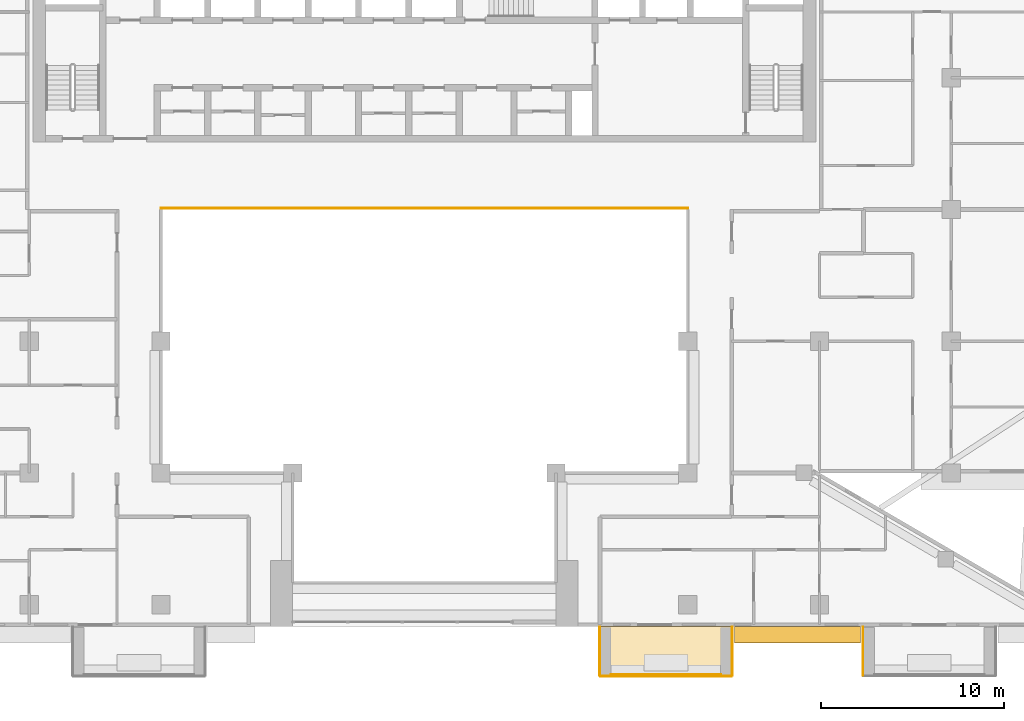
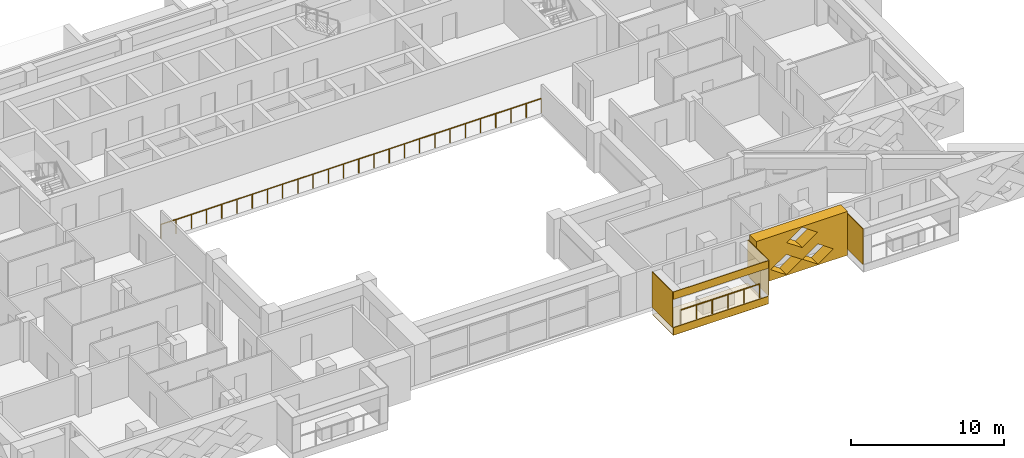
# One storey, part 16 of 20: 7 coverings, 2 railings.
"""IFC4 building model written with IfcOpenShell, lengths in metres."""

from ifc_helpers import new_model, si_unit, direction, frame, origin, origin_2d, place, context, subcontext, project, spatial, polyline, circle, outline, extrude, material, layer, layer_set, type_object, element, save


model = new_model("IFC4")

# Units and contexts
model_context = context("Model", 3, precision=1e-05, world=origin(), true_north=direction((0.0, 1.0)))
body_context = subcontext(model_context, "Body", "Model", "MODEL_VIEW")
ifc_project = project(units=[si_unit("LENGTHUNIT", "METRE"), si_unit("AREAUNIT", "SQUARE_METRE"), si_unit("VOLUMEUNIT", "CUBIC_METRE"), si_unit("PLANEANGLEUNIT", "RADIAN"), si_unit("MASSUNIT", "GRAM", prefix="KILO")], contexts=[model_context])

# Site, building, storey
site_placement = place(None, origin())
site = spatial("IfcSite", under=ifc_project, at=site_placement, CompositionType="ELEMENT")
building_placement = place(site_placement, origin())
building = spatial("IfcBuilding", under=site, at=building_placement, Name="Saffron Iwan Residences", CompositionType="ELEMENT")
storey_placement = place(building_placement, frame((0.0, 0.0, 153.5)))
storey = spatial("IfcBuildingStorey", under=building, at=storey_placement, Name="L40", CompositionType="ELEMENT", Elevation=153.5)

# Railings
ifc_material_1 = material(Name="Stainless steel 316", Category="steel")
railing_type_1 = type_object("IfcRailingType", Name="Atrium guard 1150", PredefinedType="GUARDRAIL", material=ifc_material_1)
railing_1_placement = place(storey_placement, frame((36.0, 62.47509765625, 0.0)))
element("IfcRailing", 1, at=railing_1_placement, inside=storey, type_object=railing_type_1, Name="Atrium guard L40", PredefinedType="GUARDRAIL", context=body_context, shape_type="SweptSolid", body=[
    extrude(circle(Radius=0.02392578125, at=origin_2d()), frame((0.0, 0.0, 1.1259765625), z_axis=(1.0, 0.0, 0.0), x_axis=(0.0, 1.0, 0.0)), (0.0, 0.0, 1.0), 28.800048828125),
    extrude(circle(Radius=0.02099609375, at=origin_2d()), origin(), (0.0, 0.0, 1.0), 1.101806640625),
    extrude(circle(Radius=0.02099609375, at=origin_2d()), frame((1.152099609375, 0.0, 0.0)), (0.0, 0.0, 1.0), 1.101806640625),
    extrude(circle(Radius=0.02099609375, at=origin_2d()), frame((2.303955078125, 0.0, 0.0)), (0.0, 0.0, 1.0), 1.101806640625),
    extrude(circle(Radius=0.02099609375, at=origin_2d()), frame((3.4560546875, 0.0, 0.0)), (0.0, 0.0, 1.0), 1.101806640625),
    extrude(circle(Radius=0.02099609375, at=origin_2d()), frame((4.60791015625, 0.0, 0.0)), (0.0, 0.0, 1.0), 1.101806640625),
    extrude(circle(Radius=0.02099609375, at=origin_2d()), frame((5.760009765625, 0.0, 0.0)), (0.0, 0.0, 1.0), 1.101806640625),
    extrude(circle(Radius=0.02099609375, at=origin_2d()), frame((6.912109375, 0.0, 0.0)), (0.0, 0.0, 1.0), 1.101806640625),
    extrude(circle(Radius=0.02099609375, at=origin_2d()), frame((8.06396484375, 0.0, 0.0)), (0.0, 0.0, 1.0), 1.101806640625),
    extrude(circle(Radius=0.02099609375, at=origin_2d()), frame((9.216064453125, 0.0, 0.0)), (0.0, 0.0, 1.0), 1.101806640625),
    extrude(circle(Radius=0.02099609375, at=origin_2d()), frame((10.367919921875, 0.0, 0.0)), (0.0, 0.0, 1.0), 1.101806640625),
    extrude(circle(Radius=0.02099609375, at=origin_2d()), frame((11.52001953125, 0.0, 0.0)), (0.0, 0.0, 1.0), 1.101806640625),
    extrude(circle(Radius=0.02099609375, at=origin_2d()), frame((12.672119140625, 0.0, 0.0)), (0.0, 0.0, 1.0), 1.101806640625),
    extrude(circle(Radius=0.02099609375, at=origin_2d()), frame((13.823974609375, 0.0, 0.0)), (0.0, 0.0, 1.0), 1.101806640625),
    extrude(circle(Radius=0.02099609375, at=origin_2d()), frame((14.97607421875, 0.0, 0.0)), (0.0, 0.0, 1.0), 1.101806640625),
    extrude(circle(Radius=0.02099609375, at=origin_2d()), frame((16.1279296875, 0.0, 0.0)), (0.0, 0.0, 1.0), 1.101806640625),
    extrude(circle(Radius=0.02099609375, at=origin_2d()), frame((17.280029296875, 0.0, 0.0)), (0.0, 0.0, 1.0), 1.101806640625),
    extrude(circle(Radius=0.02099609375, at=origin_2d()), frame((18.43212890625, 0.0, 0.0)), (0.0, 0.0, 1.0), 1.101806640625),
    extrude(circle(Radius=0.02099609375, at=origin_2d()), frame((19.583984375, 0.0, 0.0)), (0.0, 0.0, 1.0), 1.101806640625),
    extrude(circle(Radius=0.02099609375, at=origin_2d()), frame((20.736083984375, 0.0, 0.0)), (0.0, 0.0, 1.0), 1.101806640625),
    extrude(circle(Radius=0.02099609375, at=origin_2d()), frame((21.887939453125, 0.0, 0.0)), (0.0, 0.0, 1.0), 1.101806640625),
    extrude(circle(Radius=0.02099609375, at=origin_2d()), frame((23.0400390625, 0.0, 0.0)), (0.0, 0.0, 1.0), 1.101806640625),
    extrude(circle(Radius=0.02099609375, at=origin_2d()), frame((24.192138671875, 0.0, 0.0)), (0.0, 0.0, 1.0), 1.101806640625),
    extrude(circle(Radius=0.02099609375, at=origin_2d()), frame((25.343994140625, 0.0, 0.0)), (0.0, 0.0, 1.0), 1.101806640625),
    extrude(circle(Radius=0.02099609375, at=origin_2d()), frame((26.49609375, 0.0, 0.0)), (0.0, 0.0, 1.0), 1.101806640625),
    extrude(circle(Radius=0.02099609375, at=origin_2d()), frame((27.64794921875, 0.0, 0.0)), (0.0, 0.0, 1.0), 1.101806640625),
    extrude(circle(Radius=0.02099609375, at=origin_2d()), frame((28.800048828125, 0.0, 0.0)), (0.0, 0.0, 1.0), 1.101806640625),
])
railing_type_2 = type_object("IfcRailingType", Name="BALCONY GUARD 1150", PredefinedType="GUARDRAIL", material=ifc_material_1)
railing_2_placement = place(storey_placement, frame((60.60009765625, 36.97509765625, 0.0)))
element("IfcRailing", 2, at=railing_2_placement, inside=storey, type_object=railing_type_2, Name="Balcony guard L40 11-1", PredefinedType="GUARDRAIL", context=body_context, shape_type="SweptSolid", body=[
    extrude(circle(Radius=0.02392578125, at=origin_2d()), frame((0.0, 0.0, 1.1259765625), z_axis=(1.0, 0.0, 0.0), x_axis=(0.0, 1.0, 0.0)), (0.0, 0.0, 1.0), 6.0),
    extrude(circle(Radius=0.02099609375, at=origin_2d()), origin(), (0.0, 0.0, 1.0), 1.101806640625),
    extrude(circle(Radius=0.02099609375, at=origin_2d()), frame((1.199951171875, 0.0, 0.0)), (0.0, 0.0, 1.0), 1.101806640625),
    extrude(circle(Radius=0.02099609375, at=origin_2d()), frame((2.39990234375, 0.0, 0.0)), (0.0, 0.0, 1.0), 1.101806640625),
    extrude(circle(Radius=0.02099609375, at=origin_2d()), frame((3.60009765625, 0.0, 0.0)), (0.0, 0.0, 1.0), 1.101806640625),
    extrude(circle(Radius=0.02099609375, at=origin_2d()), frame((4.800048828125, 0.0, 0.0)), (0.0, 0.0, 1.0), 1.101806640625),
    extrude(circle(Radius=0.02099609375, at=origin_2d()), frame((6.0, 0.0, 0.0)), (0.0, 0.0, 1.0), 1.101806640625),
])

# Coverings
ifc_material_2 = material(Name="Precast concrete C40/50 white painted", Category="concrete")
ifc_layer = layer(ifc_material_2, 0.050048828125)
ifc_layer_set = layer_set([ifc_layer], Name="Precast concrete C40/50 white painted")
covering_type_1 = type_object("IfcCoveringType", Name="FRAME SKIN PRECAST WHITE 50", PredefinedType="CLADDING", material=ifc_layer_set)
for number, where, name in (
    (3, (0.0, 0.0, -0.60009765625), "Frame skin slab edge L40 11-1"),
    (4, (0.0, 0.0, 2.25), "Frame skin fascia L40 11-1"),
):
    element("IfcCovering", number, at=place(storey_placement, frame(where)), inside=storey, type_object=covering_type_1, Name=name, PredefinedType="CLADDING", context=body_context, shape_type="SweptSolid", body=[
        extrude(outline(polyline([(60.0, 36.85009765625), (67.199951171875, 36.85009765625), (67.199951171875, 36.89990234375), (60.0, 36.89990234375), (60.0, 36.85009765625)])), origin(), (0.0, 0.0, 1.0), 0.60009765625),
    ])
covering_1_placement = place(storey_placement, frame((0.0, 0.0, -0.64990234375)))
element("IfcCovering", 5, at=covering_1_placement, inside=storey, type_object=covering_type_1, Name="Frame skin soffit L40 11-1", PredefinedType="CLADDING", context=body_context, shape_type="SweptSolid", body=[
    extrude(outline(polyline([(60.0, 36.89990234375), (67.199951171875, 36.89990234375), (67.199951171875, 39.60009765625), (60.0, 39.60009765625), (60.0, 36.89990234375)])), origin(), (0.0, 0.0, 1.0), 0.0498046875),
])
covering_2_placement = place(storey_placement, origin())
element("IfcCovering", 6, at=covering_2_placement, inside=storey, type_object=covering_type_1, Name="Frame skin fin L40 11-1a", PredefinedType="CLADDING", context=body_context, shape_type="SweptSolid", body=[
    extrude(outline(polyline([(59.949951171875, 36.89990234375), (60.0, 36.89990234375), (60.0, 39.60009765625), (59.949951171875, 39.60009765625), (59.949951171875, 36.89990234375)])), origin(), (0.0, 0.0, 1.0), 2.85009765625),
])
covering_3_placement = place(storey_placement, origin())
element("IfcCovering", 7, at=covering_3_placement, inside=storey, type_object=covering_type_1, Name="Frame skin fin L40 11-1b", PredefinedType="CLADDING", context=body_context, shape_type="SweptSolid", body=[
    extrude(outline(polyline([(67.199951171875, 36.89990234375), (67.25, 36.89990234375), (67.25, 39.60009765625), (67.199951171875, 39.60009765625), (67.199951171875, 36.89990234375)])), origin(), (0.0, 0.0, 1.0), 2.85009765625),
])
covering_4_placement = place(storey_placement, origin())
element("IfcCovering", 8, at=covering_4_placement, inside=storey, type_object=covering_type_1, Name="Frame skin fin L40 11-2a", PredefinedType="CLADDING", context=body_context, shape_type="SweptSolid", body=[
    extrude(outline(polyline([(74.35009765625, 36.89990234375), (74.39990234375, 36.89990234375), (74.39990234375, 39.60009765625), (74.35009765625, 39.60009765625), (74.35009765625, 36.89990234375)])), origin(), (0.0, 0.0, 1.0), 2.85009765625),
])
ifc_material_3 = material(Name="Precast concrete C40/50", Category="concrete")
covering_type_2 = type_object("IfcCoveringType", Name="OUTER SKIN LATTICE SCREEN", PredefinedType="CLADDING", material=ifc_material_3)
covering_5_placement = place(storey_placement, frame((67.35009765625, 39.60009765625, -0.300048828125), z_axis=(0.0, -1.0, 0.0), x_axis=(1.0, 0.0, 0.0)))
element("IfcCovering", 9, at=covering_5_placement, inside=storey, type_object=covering_type_2, Name="OUTER SKIN lattice screen L40 F11.2", PredefinedType="CLADDING", context=body_context, shape_type="SweptSolid", body=[
    extrude(outline(polyline([(0.0, 0.0), (6.89990234375, 0.0), (6.89990234375, 3.5), (0.0, 3.5), (0.0, 0.0)]), holes=[polyline([(1.070068359375, 0.875), (2.25, 0.06005859375), (3.429931640625, 0.875), (2.25, 1.68994140625), (1.070068359375, 0.875)]), polyline([(3.469970703125, 0.875), (4.64990234375, 0.06005859375), (5.830078125, 0.875), (4.64990234375, 1.68994140625), (3.469970703125, 0.875)]), polyline([(2.27001953125, 2.625), (3.449951171875, 1.81005859375), (4.6298828125, 2.625), (3.449951171875, 3.43994140625), (2.27001953125, 2.625)])]), origin(), (0.0, 0.0, 1.0), 0.900146484375),
])

save(model, "model.ifc")
